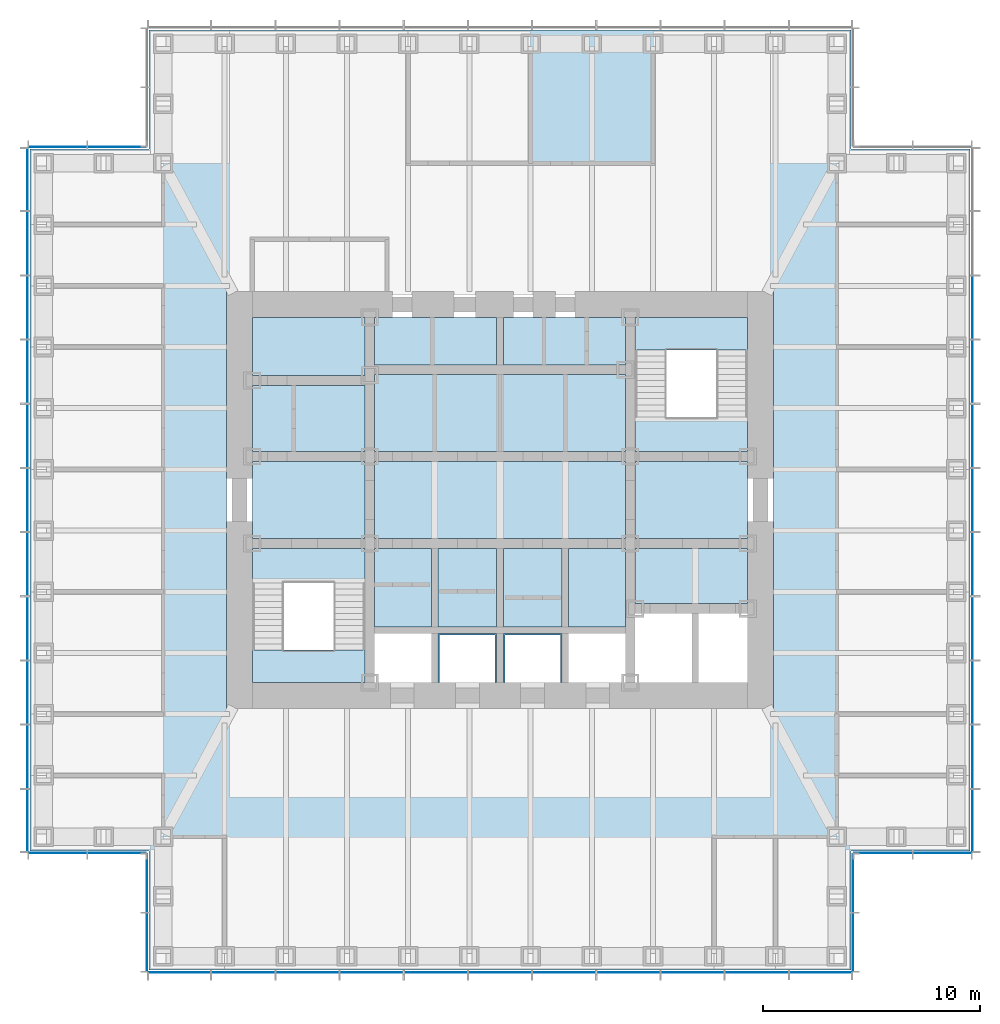
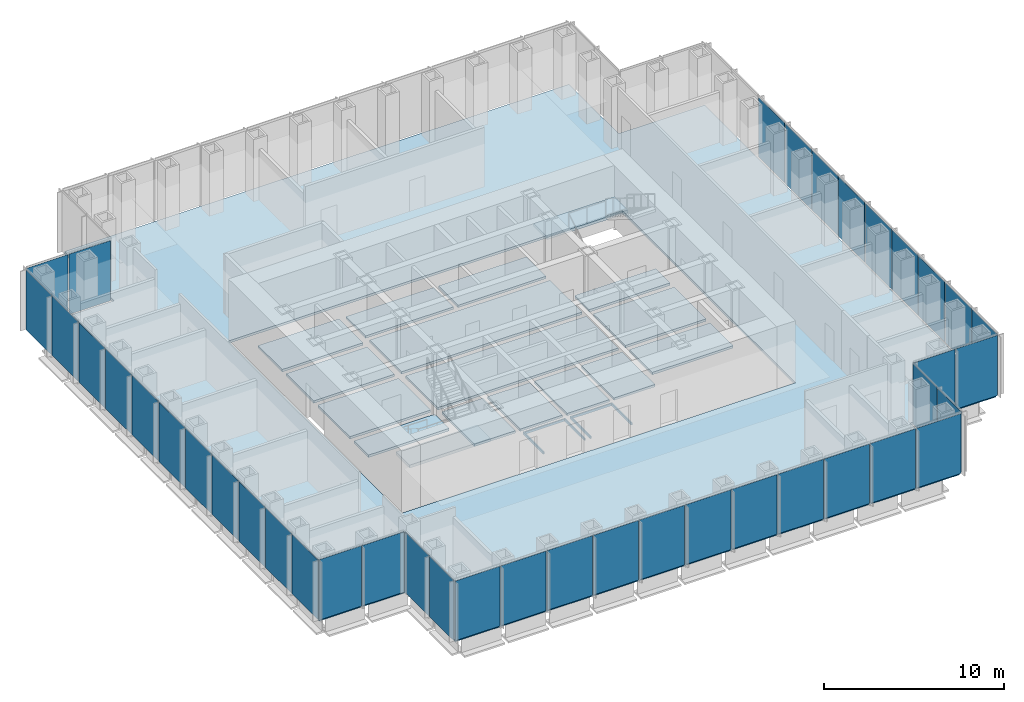
# One storey, part 7 of 17: 41 plates, 20 slabs, 10 elements without a shape of their own.
"""IFC4 building model written with IfcOpenShell, lengths in metres."""

from ifc_helpers import new_model, si_unit, direction, frame, origin, origin_2d, place, context, subcontext, project, spatial, polyline, rectangle, outline, extrude, material, layer, layer_set, type_object, element, aggregate, save


model = new_model("IFC4")

# Units and contexts
model_context = context("Model", 3, precision=1e-05, world=origin(), true_north=direction((0.0, 1.0)))
body_context = subcontext(model_context, "Body", "Model", "MODEL_VIEW")
ifc_project = project(units=[si_unit("LENGTHUNIT", "METRE"), si_unit("AREAUNIT", "SQUARE_METRE"), si_unit("VOLUMEUNIT", "CUBIC_METRE"), si_unit("PLANEANGLEUNIT", "RADIAN"), si_unit("MASSUNIT", "GRAM", prefix="KILO")], contexts=[model_context])

# Site, building, storey
site_placement = place(None, origin())
site = spatial("IfcSite", under=ifc_project, at=site_placement, CompositionType="ELEMENT")
building_placement = place(site_placement, origin())
building = spatial("IfcBuilding", under=site, at=building_placement, Name="Daluyong Arena Tower", CompositionType="ELEMENT")
storey_placement = place(building_placement, frame((0.0, 0.0, 193.89990234375)))
storey = spatial("IfcBuildingStorey", under=building, at=storey_placement, Name="L43", CompositionType="ELEMENT", Elevation=193.89990234375)

# Curtain wall, plates
ifc_material_1 = material(Name="Bronze anodised aluminium and glass", Category="aluminium")
curtain_wall_type_1 = type_object("IfcCurtainWallType", Name="Curtain wall CW3", PredefinedType="USERDEFINED", material=ifc_material_1)
curtain_wall_1_placement = place(storey_placement, origin())
curtain_wall_1 = element("IfcCurtainWall", 1, at=curtain_wall_1_placement, inside=storey, type_object=curtain_wall_type_1, Name="curtain wall L43 S", ObjectType="UNITISED CURTAIN WALL", PredefinedType="USERDEFINED")
ifc_material_2 = material(Name="Tinted double glazed unit", Category="glass")
ifc_layer_1 = layer(ifc_material_2, 0.030029296875)
ifc_layer_set_1 = layer_set([ifc_layer_1], Name="Tinted double glazed unit")
plate_type_1 = type_object("IfcPlateType", Name="CW3 panel 30", PredefinedType="CURTAIN_PANEL", material=ifc_layer_set_1)
plate_1_placement = place(storey_placement, frame((41.244873046875, 58.25, 0.0), z_axis=(0.0, 0.0, 1.0), x_axis=(1.0, 0.0, 0.0)))
plate_1 = element("IfcPlate", 2, at=plate_1_placement, type_object=plate_type_1, Name="curtain wall L43 S panel 1", PredefinedType="CURTAIN_PANEL", context=body_context, shape_type="SweptSolid", body=[
    extrude(rectangle(XDim=2.849609375, YDim=0.030029296875, at=origin_2d()), origin(), (0.0, 0.0, 1.0), 4.0400390625),
])
plate_2_placement = place(storey_placement, frame((44.181884765625, 58.25, 0.0), z_axis=(0.0, 0.0, 1.0), x_axis=(1.0, 0.0, 0.0)))
plate_2 = element("IfcPlate", 3, at=plate_2_placement, type_object=plate_type_1, Name="curtain wall L43 S panel 2", PredefinedType="CURTAIN_PANEL", context=body_context, shape_type="SweptSolid", body=[
    extrude(rectangle(XDim=2.884521484375, YDim=0.030029296875, at=origin_2d()), origin(), (0.0, 0.0, 1.0), 4.0400390625),
])
plate_3_placement = place(storey_placement, frame((47.136474609375, 58.25, 0.0), z_axis=(0.0, 0.0, 1.0), x_axis=(1.0, 0.0, 0.0)))
plate_3 = element("IfcPlate", 4, at=plate_3_placement, type_object=plate_type_1, Name="curtain wall L43 S panel 3", PredefinedType="CURTAIN_PANEL", context=body_context, shape_type="SweptSolid", body=[
    extrude(rectangle(XDim=2.884521484375, YDim=0.030029296875, at=origin_2d()), origin(), (0.0, 0.0, 1.0), 4.0400390625),
])
plate_4_placement = place(storey_placement, frame((50.0908203125, 58.25, 0.0), z_axis=(0.0, 0.0, 1.0), x_axis=(1.0, 0.0, 0.0)))
plate_4 = element("IfcPlate", 5, at=plate_4_placement, type_object=plate_type_1, Name="curtain wall L43 S panel 4", PredefinedType="CURTAIN_PANEL", context=body_context, shape_type="SweptSolid", body=[
    extrude(rectangle(XDim=2.884521484375, YDim=0.030029296875, at=origin_2d()), origin(), (0.0, 0.0, 1.0), 4.0400390625),
])
plate_5_placement = place(storey_placement, frame((53.04541015625, 58.25, 0.0), z_axis=(0.0, 0.0, 1.0), x_axis=(1.0, 0.0, 0.0)))
plate_5 = element("IfcPlate", 6, at=plate_5_placement, type_object=plate_type_1, Name="curtain wall L43 S panel 5", PredefinedType="CURTAIN_PANEL", context=body_context, shape_type="SweptSolid", body=[
    extrude(rectangle(XDim=2.884521484375, YDim=0.030029296875, at=origin_2d()), origin(), (0.0, 0.0, 1.0), 4.0400390625),
])
plate_6_placement = place(storey_placement, frame((56.0, 58.25, 0.0), z_axis=(0.0, 0.0, 1.0), x_axis=(1.0, 0.0, 0.0)))
plate_6 = element("IfcPlate", 7, at=plate_6_placement, type_object=plate_type_1, Name="curtain wall L43 S panel 6", PredefinedType="CURTAIN_PANEL", context=body_context, shape_type="SweptSolid", body=[
    extrude(rectangle(XDim=2.884521484375, YDim=0.030029296875, at=origin_2d()), origin(), (0.0, 0.0, 1.0), 4.0400390625),
])
plate_7_placement = place(storey_placement, frame((58.95458984375, 58.25, 0.0), z_axis=(0.0, 0.0, 1.0), x_axis=(1.0, 0.0, 0.0)))
plate_7 = element("IfcPlate", 8, at=plate_7_placement, type_object=plate_type_1, Name="curtain wall L43 S panel 7", PredefinedType="CURTAIN_PANEL", context=body_context, shape_type="SweptSolid", body=[
    extrude(rectangle(XDim=2.884521484375, YDim=0.030029296875, at=origin_2d()), origin(), (0.0, 0.0, 1.0), 4.0400390625),
])
plate_8_placement = place(storey_placement, frame((61.9091796875, 58.25, 0.0), z_axis=(0.0, 0.0, 1.0), x_axis=(1.0, 0.0, 0.0)))
plate_8 = element("IfcPlate", 9, at=plate_8_placement, type_object=plate_type_1, Name="curtain wall L43 S panel 8", PredefinedType="CURTAIN_PANEL", context=body_context, shape_type="SweptSolid", body=[
    extrude(rectangle(XDim=2.884521484375, YDim=0.030029296875, at=origin_2d()), origin(), (0.0, 0.0, 1.0), 4.0400390625),
])
plate_9_placement = place(storey_placement, frame((64.863525390625, 58.25, 0.0), z_axis=(0.0, 0.0, 1.0), x_axis=(1.0, 0.0, 0.0)))
plate_9 = element("IfcPlate", 10, at=plate_9_placement, type_object=plate_type_1, Name="curtain wall L43 S panel 9", PredefinedType="CURTAIN_PANEL", context=body_context, shape_type="SweptSolid", body=[
    extrude(rectangle(XDim=2.884521484375, YDim=0.030029296875, at=origin_2d()), origin(), (0.0, 0.0, 1.0), 4.0400390625),
])
plate_10_placement = place(storey_placement, frame((67.818115234375, 58.25, 0.0), z_axis=(0.0, 0.0, 1.0), x_axis=(1.0, 0.0, 0.0)))
plate_10 = element("IfcPlate", 11, at=plate_10_placement, type_object=plate_type_1, Name="curtain wall L43 S panel 10", PredefinedType="CURTAIN_PANEL", context=body_context, shape_type="SweptSolid", body=[
    extrude(rectangle(XDim=2.884521484375, YDim=0.030029296875, at=origin_2d()), origin(), (0.0, 0.0, 1.0), 4.0400390625),
])
plate_11_placement = place(storey_placement, frame((70.755126953125, 58.25, 0.0), z_axis=(0.0, 0.0, 1.0), x_axis=(1.0, 0.0, 0.0)))
plate_11 = element("IfcPlate", 12, at=plate_11_placement, type_object=plate_type_1, Name="curtain wall L43 S panel 11", PredefinedType="CURTAIN_PANEL", context=body_context, shape_type="SweptSolid", body=[
    extrude(rectangle(XDim=2.849609375, YDim=0.030029296875, at=origin_2d()), origin(), (0.0, 0.0, 1.0), 4.0400390625),
])
aggregate(curtain_wall_1, [plate_1, plate_2, plate_3, plate_4, plate_5, plate_6, plate_7, plate_8, plate_9, plate_10, plate_11])

curtain_wall_2_placement = place(storey_placement, origin())
curtain_wall_2 = element("IfcCurtainWall", 13, at=curtain_wall_2_placement, inside=storey, type_object=curtain_wall_type_1, Name="curtain wall L43 E", ObjectType="UNITISED CURTAIN WALL", PredefinedType="USERDEFINED")
plate_12_placement = place(storey_placement, frame((77.75, 65.244873046875, 0.0), z_axis=(0.0, 0.0, 1.0), x_axis=(0.0, 1.0, 0.0)))
plate_12 = element("IfcPlate", 14, at=plate_12_placement, type_object=plate_type_1, Name="curtain wall L43 E panel 1", PredefinedType="CURTAIN_PANEL", context=body_context, shape_type="SweptSolid", body=[
    extrude(rectangle(XDim=2.849609375, YDim=0.030029296875, at=origin_2d()), origin(), (0.0, 0.0, 1.0), 4.0400390625),
])
plate_13_placement = place(storey_placement, frame((77.75, 68.181884765625, 0.0), z_axis=(0.0, 0.0, 1.0), x_axis=(0.0, 1.0, 0.0)))
plate_13 = element("IfcPlate", 15, at=plate_13_placement, type_object=plate_type_1, Name="curtain wall L43 E panel 2", PredefinedType="CURTAIN_PANEL", context=body_context, shape_type="SweptSolid", body=[
    extrude(rectangle(XDim=2.884521484375, YDim=0.030029296875, at=origin_2d()), origin(), (0.0, 0.0, 1.0), 4.0400390625),
])
plate_14_placement = place(storey_placement, frame((77.75, 71.136474609375, 0.0), z_axis=(0.0, 0.0, 1.0), x_axis=(0.0, 1.0, 0.0)))
plate_14 = element("IfcPlate", 16, at=plate_14_placement, type_object=plate_type_1, Name="curtain wall L43 E panel 3", PredefinedType="CURTAIN_PANEL", context=body_context, shape_type="SweptSolid", body=[
    extrude(rectangle(XDim=2.884521484375, YDim=0.030029296875, at=origin_2d()), origin(), (0.0, 0.0, 1.0), 4.0400390625),
])
plate_15_placement = place(storey_placement, frame((77.75, 74.0908203125, 0.0), z_axis=(0.0, 0.0, 1.0), x_axis=(0.0, 1.0, 0.0)))
plate_15 = element("IfcPlate", 17, at=plate_15_placement, type_object=plate_type_1, Name="curtain wall L43 E panel 4", PredefinedType="CURTAIN_PANEL", context=body_context, shape_type="SweptSolid", body=[
    extrude(rectangle(XDim=2.884521484375, YDim=0.030029296875, at=origin_2d()), origin(), (0.0, 0.0, 1.0), 4.0400390625),
])
plate_16_placement = place(storey_placement, frame((77.75, 77.04541015625, 0.0), z_axis=(0.0, 0.0, 1.0), x_axis=(0.0, 1.0, 0.0)))
plate_16 = element("IfcPlate", 18, at=plate_16_placement, type_object=plate_type_1, Name="curtain wall L43 E panel 5", PredefinedType="CURTAIN_PANEL", context=body_context, shape_type="SweptSolid", body=[
    extrude(rectangle(XDim=2.884521484375, YDim=0.030029296875, at=origin_2d()), origin(), (0.0, 0.0, 1.0), 4.0400390625),
])
plate_17_placement = place(storey_placement, frame((77.75, 80.0, 0.0), z_axis=(0.0, 0.0, 1.0), x_axis=(0.0, 1.0, 0.0)))
plate_17 = element("IfcPlate", 19, at=plate_17_placement, type_object=plate_type_1, Name="curtain wall L43 E panel 6", PredefinedType="CURTAIN_PANEL", context=body_context, shape_type="SweptSolid", body=[
    extrude(rectangle(XDim=2.884521484375, YDim=0.030029296875, at=origin_2d()), origin(), (0.0, 0.0, 1.0), 4.0400390625),
])
plate_18_placement = place(storey_placement, frame((77.75, 82.95458984375, 0.0), z_axis=(0.0, 0.0, 1.0), x_axis=(0.0, 1.0, 0.0)))
plate_18 = element("IfcPlate", 20, at=plate_18_placement, type_object=plate_type_1, Name="curtain wall L43 E panel 7", PredefinedType="CURTAIN_PANEL", context=body_context, shape_type="SweptSolid", body=[
    extrude(rectangle(XDim=2.884521484375, YDim=0.030029296875, at=origin_2d()), origin(), (0.0, 0.0, 1.0), 4.0400390625),
])
plate_19_placement = place(storey_placement, frame((77.75, 85.9091796875, 0.0), z_axis=(0.0, 0.0, 1.0), x_axis=(0.0, 1.0, 0.0)))
plate_19 = element("IfcPlate", 21, at=plate_19_placement, type_object=plate_type_1, Name="curtain wall L43 E panel 8", PredefinedType="CURTAIN_PANEL", context=body_context, shape_type="SweptSolid", body=[
    extrude(rectangle(XDim=2.884521484375, YDim=0.030029296875, at=origin_2d()), origin(), (0.0, 0.0, 1.0), 4.0400390625),
])
plate_20_placement = place(storey_placement, frame((77.75, 88.863525390625, 0.0), z_axis=(0.0, 0.0, 1.0), x_axis=(0.0, 1.0, 0.0)))
plate_20 = element("IfcPlate", 22, at=plate_20_placement, type_object=plate_type_1, Name="curtain wall L43 E panel 9", PredefinedType="CURTAIN_PANEL", context=body_context, shape_type="SweptSolid", body=[
    extrude(rectangle(XDim=2.884521484375, YDim=0.030029296875, at=origin_2d()), origin(), (0.0, 0.0, 1.0), 4.0400390625),
])
aggregate(curtain_wall_2, [plate_12, plate_13, plate_14, plate_15, plate_16, plate_17, plate_18, plate_19, plate_20])

curtain_wall_3_placement = place(storey_placement, origin())
curtain_wall_3 = element("IfcCurtainWall", 23, at=curtain_wall_3_placement, inside=storey, type_object=curtain_wall_type_1, Name="curtain wall L43 W", ObjectType="UNITISED CURTAIN WALL", PredefinedType="USERDEFINED")
plate_21_placement = place(storey_placement, frame((34.25, 94.755126953125, 0.0), z_axis=(0.0, 0.0, 1.0), x_axis=(0.0, -1.0, 0.0)))
plate_21 = element("IfcPlate", 24, at=plate_21_placement, type_object=plate_type_1, Name="curtain wall L43 W panel 1", PredefinedType="CURTAIN_PANEL", context=body_context, shape_type="SweptSolid", body=[
    extrude(rectangle(XDim=2.849609375, YDim=0.030029296875, at=origin_2d()), origin(), (0.0, 0.0, 1.0), 4.0400390625),
])
plate_22_placement = place(storey_placement, frame((34.25, 91.818115234375, 0.0), z_axis=(0.0, 0.0, 1.0), x_axis=(0.0, -1.0, 0.0)))
plate_22 = element("IfcPlate", 25, at=plate_22_placement, type_object=plate_type_1, Name="curtain wall L43 W panel 2", PredefinedType="CURTAIN_PANEL", context=body_context, shape_type="SweptSolid", body=[
    extrude(rectangle(XDim=2.884521484375, YDim=0.030029296875, at=origin_2d()), origin(), (0.0, 0.0, 1.0), 4.0400390625),
])
plate_23_placement = place(storey_placement, frame((34.25, 88.863525390625, 0.0), z_axis=(0.0, 0.0, 1.0), x_axis=(0.0, -1.0, 0.0)))
plate_23 = element("IfcPlate", 26, at=plate_23_placement, type_object=plate_type_1, Name="curtain wall L43 W panel 3", PredefinedType="CURTAIN_PANEL", context=body_context, shape_type="SweptSolid", body=[
    extrude(rectangle(XDim=2.884521484375, YDim=0.030029296875, at=origin_2d()), origin(), (0.0, 0.0, 1.0), 4.0400390625),
])
plate_24_placement = place(storey_placement, frame((34.25, 85.9091796875, 0.0), z_axis=(0.0, 0.0, 1.0), x_axis=(0.0, -1.0, 0.0)))
plate_24 = element("IfcPlate", 27, at=plate_24_placement, type_object=plate_type_1, Name="curtain wall L43 W panel 4", PredefinedType="CURTAIN_PANEL", context=body_context, shape_type="SweptSolid", body=[
    extrude(rectangle(XDim=2.884521484375, YDim=0.030029296875, at=origin_2d()), origin(), (0.0, 0.0, 1.0), 4.0400390625),
])
plate_25_placement = place(storey_placement, frame((34.25, 82.95458984375, 0.0), z_axis=(0.0, 0.0, 1.0), x_axis=(0.0, -1.0, 0.0)))
plate_25 = element("IfcPlate", 28, at=plate_25_placement, type_object=plate_type_1, Name="curtain wall L43 W panel 5", PredefinedType="CURTAIN_PANEL", context=body_context, shape_type="SweptSolid", body=[
    extrude(rectangle(XDim=2.884521484375, YDim=0.030029296875, at=origin_2d()), origin(), (0.0, 0.0, 1.0), 4.0400390625),
])
plate_26_placement = place(storey_placement, frame((34.25, 80.0, 0.0), z_axis=(0.0, 0.0, 1.0), x_axis=(0.0, -1.0, 0.0)))
plate_26 = element("IfcPlate", 29, at=plate_26_placement, type_object=plate_type_1, Name="curtain wall L43 W panel 6", PredefinedType="CURTAIN_PANEL", context=body_context, shape_type="SweptSolid", body=[
    extrude(rectangle(XDim=2.884521484375, YDim=0.030029296875, at=origin_2d()), origin(), (0.0, 0.0, 1.0), 4.0400390625),
])
plate_27_placement = place(storey_placement, frame((34.25, 77.04541015625, 0.0), z_axis=(0.0, 0.0, 1.0), x_axis=(0.0, -1.0, 0.0)))
plate_27 = element("IfcPlate", 30, at=plate_27_placement, type_object=plate_type_1, Name="curtain wall L43 W panel 7", PredefinedType="CURTAIN_PANEL", context=body_context, shape_type="SweptSolid", body=[
    extrude(rectangle(XDim=2.884521484375, YDim=0.030029296875, at=origin_2d()), origin(), (0.0, 0.0, 1.0), 4.0400390625),
])
plate_28_placement = place(storey_placement, frame((34.25, 74.0908203125, 0.0), z_axis=(0.0, 0.0, 1.0), x_axis=(0.0, -1.0, 0.0)))
plate_28 = element("IfcPlate", 31, at=plate_28_placement, type_object=plate_type_1, Name="curtain wall L43 W panel 8", PredefinedType="CURTAIN_PANEL", context=body_context, shape_type="SweptSolid", body=[
    extrude(rectangle(XDim=2.884521484375, YDim=0.030029296875, at=origin_2d()), origin(), (0.0, 0.0, 1.0), 4.0400390625),
])
plate_29_placement = place(storey_placement, frame((34.25, 71.136474609375, 0.0), z_axis=(0.0, 0.0, 1.0), x_axis=(0.0, -1.0, 0.0)))
plate_29 = element("IfcPlate", 32, at=plate_29_placement, type_object=plate_type_1, Name="curtain wall L43 W panel 9", PredefinedType="CURTAIN_PANEL", context=body_context, shape_type="SweptSolid", body=[
    extrude(rectangle(XDim=2.884521484375, YDim=0.030029296875, at=origin_2d()), origin(), (0.0, 0.0, 1.0), 4.0400390625),
])
plate_30_placement = place(storey_placement, frame((34.25, 68.181884765625, 0.0), z_axis=(0.0, 0.0, 1.0), x_axis=(0.0, -1.0, 0.0)))
plate_30 = element("IfcPlate", 33, at=plate_30_placement, type_object=plate_type_1, Name="curtain wall L43 W panel 10", PredefinedType="CURTAIN_PANEL", context=body_context, shape_type="SweptSolid", body=[
    extrude(rectangle(XDim=2.884521484375, YDim=0.030029296875, at=origin_2d()), origin(), (0.0, 0.0, 1.0), 4.0400390625),
])
plate_31_placement = place(storey_placement, frame((34.25, 65.244873046875, 0.0), z_axis=(0.0, 0.0, 1.0), x_axis=(0.0, -1.0, 0.0)))
plate_31 = element("IfcPlate", 34, at=plate_31_placement, type_object=plate_type_1, Name="curtain wall L43 W panel 11", PredefinedType="CURTAIN_PANEL", context=body_context, shape_type="SweptSolid", body=[
    extrude(rectangle(XDim=2.849609375, YDim=0.030029296875, at=origin_2d()), origin(), (0.0, 0.0, 1.0), 4.0400390625),
])
aggregate(curtain_wall_3, [plate_21, plate_22, plate_23, plate_24, plate_25, plate_26, plate_27, plate_28, plate_29, plate_30, plate_31])

ifc_material_3 = material(Name="Bronze anodised aluminium and glass", Category="aluminium")
curtain_wall_type_2 = type_object("IfcCurtainWallType", Name="Curtain wall CW7", PredefinedType="USERDEFINED", material=ifc_material_3)
curtain_wall_4_placement = place(storey_placement, origin())
curtain_wall_4 = element("IfcCurtainWall", 35, at=curtain_wall_4_placement, inside=storey, type_object=curtain_wall_type_2, Name="curtain wall L43 SE-E", ObjectType="UNITISED CURTAIN WALL", PredefinedType="USERDEFINED")
ifc_material_4 = material(Name="Tinted double glazed unit", Category="glass")
ifc_layer_2 = layer(ifc_material_4, 0.028076171875)
ifc_layer_set_2 = layer_set([ifc_layer_2], Name="Tinted double glazed unit")
plate_type_2 = type_object("IfcPlateType", Name="CW7 panel 28", PredefinedType="CURTAIN_PANEL", material=ifc_layer_set_2)
plate_32_placement = place(storey_placement, frame((72.25, 59.639892578125, 0.0), z_axis=(0.0, 0.0, 1.0), x_axis=(0.0, 1.0, 0.0)))
plate_32 = element("IfcPlate", 36, at=plate_32_placement, type_object=plate_type_2, Name="curtain wall L43 SE-E panel 1", PredefinedType="CURTAIN_PANEL", context=body_context, shape_type="SweptSolid", body=[
    extrude(rectangle(XDim=2.659912109375, YDim=0.028076171875, at=origin_2d()), origin(), (0.0, 0.0, 1.0), 4.080078125),
])
plate_33_placement = place(storey_placement, frame((72.25, 62.360107421875, 0.0), z_axis=(0.0, 0.0, 1.0), x_axis=(0.0, 1.0, 0.0)))
plate_33 = element("IfcPlate", 37, at=plate_33_placement, type_object=plate_type_2, Name="curtain wall L43 SE-E panel 2", PredefinedType="CURTAIN_PANEL", context=body_context, shape_type="SweptSolid", body=[
    extrude(rectangle(XDim=2.659912109375, YDim=0.028076171875, at=origin_2d()), origin(), (0.0, 0.0, 1.0), 4.080078125),
])
aggregate(curtain_wall_4, [plate_32, plate_33])

curtain_wall_5_placement = place(storey_placement, origin())
curtain_wall_5 = element("IfcCurtainWall", 38, at=curtain_wall_5_placement, inside=storey, type_object=curtain_wall_type_2, Name="curtain wall L43 SE-S", ObjectType="UNITISED CURTAIN WALL", PredefinedType="USERDEFINED")
plate_34_placement = place(storey_placement, frame((73.639892578125, 63.75, 0.0), z_axis=(0.0, 0.0, 1.0), x_axis=(1.0, 0.0, 0.0)))
plate_34 = element("IfcPlate", 39, at=plate_34_placement, type_object=plate_type_2, Name="curtain wall L43 SE-S panel 1", PredefinedType="CURTAIN_PANEL", context=body_context, shape_type="SweptSolid", body=[
    extrude(rectangle(XDim=2.659912109375, YDim=0.028076171875, at=origin_2d()), origin(), (0.0, 0.0, 1.0), 4.080078125),
])
plate_35_placement = place(storey_placement, frame((76.360107421875, 63.75, 0.0), z_axis=(0.0, 0.0, 1.0), x_axis=(1.0, 0.0, 0.0)))
plate_35 = element("IfcPlate", 40, at=plate_35_placement, type_object=plate_type_2, Name="curtain wall L43 SE-S panel 2", PredefinedType="CURTAIN_PANEL", context=body_context, shape_type="SweptSolid", body=[
    extrude(rectangle(XDim=2.659912109375, YDim=0.028076171875, at=origin_2d()), origin(), (0.0, 0.0, 1.0), 4.080078125),
])
aggregate(curtain_wall_5, [plate_34, plate_35])

curtain_wall_6_placement = place(storey_placement, origin())
curtain_wall_6 = element("IfcCurtainWall", 41, at=curtain_wall_6_placement, inside=storey, type_object=curtain_wall_type_2, Name="curtain wall L43 NW-N", ObjectType="UNITISED CURTAIN WALL", PredefinedType="USERDEFINED")
plate_36_placement = place(storey_placement, frame((38.360107421875, 96.25, 0.0), z_axis=(0.0, 0.0, 1.0), x_axis=(-1.0, 0.0, 0.0)))
plate_36 = element("IfcPlate", 42, at=plate_36_placement, type_object=plate_type_2, Name="curtain wall L43 NW-N panel 1", PredefinedType="CURTAIN_PANEL", context=body_context, shape_type="SweptSolid", body=[
    extrude(rectangle(XDim=2.659912109375, YDim=0.028076171875, at=origin_2d()), origin(), (0.0, 0.0, 1.0), 4.080078125),
])
plate_37_placement = place(storey_placement, frame((35.639892578125, 96.25, 0.0), z_axis=(0.0, 0.0, 1.0), x_axis=(-1.0, 0.0, 0.0)))
plate_37 = element("IfcPlate", 43, at=plate_37_placement, type_object=plate_type_2, Name="curtain wall L43 NW-N panel 2", PredefinedType="CURTAIN_PANEL", context=body_context, shape_type="SweptSolid", body=[
    extrude(rectangle(XDim=2.659912109375, YDim=0.028076171875, at=origin_2d()), origin(), (0.0, 0.0, 1.0), 4.080078125),
])
aggregate(curtain_wall_6, [plate_36, plate_37])

curtain_wall_7_placement = place(storey_placement, origin())
curtain_wall_7 = element("IfcCurtainWall", 44, at=curtain_wall_7_placement, inside=storey, type_object=curtain_wall_type_2, Name="curtain wall L43 SW-S", ObjectType="UNITISED CURTAIN WALL", PredefinedType="USERDEFINED")
plate_38_placement = place(storey_placement, frame((35.639892578125, 63.75, 0.0), z_axis=(0.0, 0.0, 1.0), x_axis=(1.0, 0.0, 0.0)))
plate_38 = element("IfcPlate", 45, at=plate_38_placement, type_object=plate_type_2, Name="curtain wall L43 SW-S panel 1", PredefinedType="CURTAIN_PANEL", context=body_context, shape_type="SweptSolid", body=[
    extrude(rectangle(XDim=2.659912109375, YDim=0.028076171875, at=origin_2d()), origin(), (0.0, 0.0, 1.0), 4.080078125),
])
plate_39_placement = place(storey_placement, frame((38.360107421875, 63.75, 0.0), z_axis=(0.0, 0.0, 1.0), x_axis=(1.0, 0.0, 0.0)))
plate_39 = element("IfcPlate", 46, at=plate_39_placement, type_object=plate_type_2, Name="curtain wall L43 SW-S panel 2", PredefinedType="CURTAIN_PANEL", context=body_context, shape_type="SweptSolid", body=[
    extrude(rectangle(XDim=2.659912109375, YDim=0.028076171875, at=origin_2d()), origin(), (0.0, 0.0, 1.0), 4.080078125),
])
aggregate(curtain_wall_7, [plate_38, plate_39])

curtain_wall_8_placement = place(storey_placement, origin())
curtain_wall_8 = element("IfcCurtainWall", 47, at=curtain_wall_8_placement, inside=storey, type_object=curtain_wall_type_2, Name="curtain wall L43 SW-W", ObjectType="UNITISED CURTAIN WALL", PredefinedType="USERDEFINED")
plate_40_placement = place(storey_placement, frame((39.75, 62.360107421875, 0.0), z_axis=(0.0, 0.0, 1.0), x_axis=(0.0, -1.0, 0.0)))
plate_40 = element("IfcPlate", 48, at=plate_40_placement, type_object=plate_type_2, Name="curtain wall L43 SW-W panel 1", PredefinedType="CURTAIN_PANEL", context=body_context, shape_type="SweptSolid", body=[
    extrude(rectangle(XDim=2.659912109375, YDim=0.028076171875, at=origin_2d()), origin(), (0.0, 0.0, 1.0), 4.080078125),
])
plate_41_placement = place(storey_placement, frame((39.75, 59.639892578125, 0.0), z_axis=(0.0, 0.0, 1.0), x_axis=(0.0, -1.0, 0.0)))
plate_41 = element("IfcPlate", 49, at=plate_41_placement, type_object=plate_type_2, Name="curtain wall L43 SW-W panel 2", PredefinedType="CURTAIN_PANEL", context=body_context, shape_type="SweptSolid", body=[
    extrude(rectangle(XDim=2.659912109375, YDim=0.028076171875, at=origin_2d()), origin(), (0.0, 0.0, 1.0), 4.080078125),
])
aggregate(curtain_wall_8, [plate_40, plate_41])

# Stair, slab
ifc_material_5 = material(Name="Concrete fc' 35 MPa", Category="concrete")
stair_type = type_object("IfcStairType", Name="Core exit stair", PredefinedType="HALF_TURN_STAIR", material=ifc_material_5)
stair_1_placement = place(storey_placement, origin())
stair_1 = element("IfcStair", 50, at=stair_1_placement, inside=storey, type_object=stair_type, Name="exit stair A L43", PredefinedType="HALF_TURN_STAIR")
ifc_material_6 = material(Name="Concrete fc' 35 MPa", Category="concrete")
ifc_layer_3 = layer(ifc_material_6, 0.199951171875)
ifc_layer_set_3 = layer_set([ifc_layer_3], Name="Concrete fc' 35 MPa")
slab_type_1 = type_object("IfcSlabType", Name="Stair landing 200", PredefinedType="LANDING", material=ifc_layer_set_3)
slab_1_placement = place(storey_placement, frame((0.0, 0.0, 1.900146484375)))
slab_1 = element("IfcSlab", 51, at=slab_1_placement, type_object=slab_type_1, Name="STA landing 1", PredefinedType="LANDING", context=body_context, shape_type="SweptSolid", body=[
    extrude(outline(polyline([(44.60009765625, 71.60009765625), (49.77490234375, 71.60009765625), (49.77490234375, 73.094970703125), (44.60009765625, 73.094970703125), (44.60009765625, 71.60009765625)])), origin(), (0.0, 0.0, 1.0), 0.199951171875),
])
aggregate(stair_1, [slab_1])

stair_2_placement = place(storey_placement, origin())
stair_2 = element("IfcStair", 52, at=stair_2_placement, inside=storey, type_object=stair_type, Name="exit stair B L43", PredefinedType="HALF_TURN_STAIR")
slab_2_placement = place(storey_placement, frame((0.0, 0.0, 1.900146484375)))
slab_2 = element("IfcSlab", 53, at=slab_2_placement, type_object=slab_type_1, Name="STB landing 1", PredefinedType="LANDING", context=body_context, shape_type="SweptSolid", body=[
    extrude(outline(polyline([(62.22509765625, 86.905029296875), (67.39990234375, 86.905029296875), (67.39990234375, 88.39990234375), (62.22509765625, 88.39990234375), (62.22509765625, 86.905029296875)])), origin(), (0.0, 0.0, 1.0), 0.199951171875),
])
aggregate(stair_2, [slab_2])

# Slabs
ifc_material_7 = material(Name="Concrete fc' 35 MPa", Category="concrete")
ifc_layer_4 = layer(ifc_material_7, 0.159912109375)
ifc_layer_set_4 = layer_set([ifc_layer_4], Name="Concrete fc' 35 MPa")
slab_type_2 = type_object("IfcSlabType", Name="Tower floor slab 160", PredefinedType="FLOOR", material=ifc_layer_set_4)
slab_3_placement = place(storey_placement, frame((0.0, 0.0, -0.159912109375)))
element("IfcSlab", 54, at=slab_3_placement, inside=storey, type_object=slab_type_2, Name="floor L43 part 1", PredefinedType="FLOOR", context=body_context, shape_type="SweptSolid", body=[
    extrude(outline(polyline([(49.77490234375, 77.77490234375), (44.60009765625, 77.77490234375), (44.60009765625, 76.175048828125), (49.77490234375, 76.175048828125), (49.77490234375, 77.77490234375)])), origin(), (0.0, 0.0, 1.0), 0.159912109375),
])
slab_4_placement = place(storey_placement, frame((0.0, 0.0, -0.159912109375)))
element("IfcSlab", 55, at=slab_4_placement, inside=storey, type_object=slab_type_2, Name="floor L43 part 2", PredefinedType="FLOOR", context=body_context, shape_type="SweptSolid", body=[
    extrude(outline(polyline([(49.77490234375, 78.22509765625), (49.77490234375, 81.77490234375), (44.60009765625, 81.77490234375), (44.60009765625, 78.22509765625), (49.77490234375, 78.22509765625)])), origin(), (0.0, 0.0, 1.0), 0.159912109375),
])
slab_5_placement = place(storey_placement, frame((0.0, 0.0, -0.159912109375)))
element("IfcSlab", 56, at=slab_5_placement, inside=storey, type_object=slab_type_2, Name="floor L43 part 3", PredefinedType="FLOOR", context=body_context, shape_type="SweptSolid", body=[
    extrude(outline(polyline([(44.60009765625, 85.27490234375), (44.60009765625, 82.22509765625), (49.77490234375, 82.22509765625), (49.77490234375, 85.27490234375), (44.60009765625, 85.27490234375)])), origin(), (0.0, 0.0, 1.0), 0.159912109375),
])
slab_6_placement = place(storey_placement, frame((0.0, 0.0, -0.159912109375)))
element("IfcSlab", 57, at=slab_6_placement, inside=storey, type_object=slab_type_2, Name="floor L43 part 4", PredefinedType="FLOOR", context=body_context, shape_type="SweptSolid", body=[
    extrude(outline(polyline([(44.60009765625, 88.39990234375), (44.60009765625, 85.72509765625), (49.77490234375, 85.72509765625), (49.77490234375, 88.39990234375), (44.60009765625, 88.39990234375)])), origin(), (0.0, 0.0, 1.0), 0.159912109375),
])
slab_7_placement = place(storey_placement, frame((0.0, 0.0, -0.159912109375)))
element("IfcSlab", 58, at=slab_7_placement, inside=storey, type_object=slab_type_2, Name="floor L43 part 5", PredefinedType="FLOOR", context=body_context, shape_type="SweptSolid", body=[
    extrude(outline(polyline([(52.85009765625, 74.14990234375), (52.85009765625, 77.77490234375), (50.22509765625, 77.77490234375), (50.22509765625, 74.14990234375), (52.85009765625, 74.14990234375)])), origin(), (0.0, 0.0, 1.0), 0.159912109375),
])
slab_8_placement = place(storey_placement, frame((0.0, 0.0, -0.159912109375)))
element("IfcSlab", 59, at=slab_8_placement, inside=storey, type_object=slab_type_2, Name="floor L43 part 6", PredefinedType="FLOOR", context=body_context, shape_type="SweptSolid", body=[
    extrude(outline(polyline([(50.22509765625, 88.39990234375), (50.22509765625, 86.22509765625), (55.85009765625, 86.22509765625), (55.85009765625, 88.39990234375), (50.22509765625, 88.39990234375)])), origin(), (0.0, 0.0, 1.0), 0.159912109375),
])
slab_9_placement = place(storey_placement, frame((0.0, 0.0, -0.159912109375)))
element("IfcSlab", 60, at=slab_9_placement, inside=storey, type_object=slab_type_2, Name="floor L43 part 7", PredefinedType="FLOOR", context=body_context, shape_type="SweptSolid", body=[
    extrude(outline(polyline([(53.22509765625, 71.60009765625), (53.22509765625, 73.77490234375), (55.77490234375, 73.77490234375), (55.77490234375, 71.60009765625), (55.85009765625, 71.60009765625), (55.85009765625, 73.85009765625), (53.14990234375, 73.85009765625), (53.14990234375, 71.60009765625), (53.22509765625, 71.60009765625)])), origin(), (0.0, 0.0, 1.0), 0.159912109375),
])
slab_10_placement = place(storey_placement, frame((0.0, 0.0, -0.159912109375)))
element("IfcSlab", 61, at=slab_10_placement, inside=storey, type_object=slab_type_2, Name="floor L43 part 8", PredefinedType="FLOOR", context=body_context, shape_type="SweptSolid", body=[
    extrude(outline(polyline([(53.14990234375, 74.14990234375), (55.85009765625, 74.14990234375), (55.85009765625, 77.77490234375), (53.14990234375, 77.77490234375), (53.14990234375, 74.14990234375)])), origin(), (0.0, 0.0, 1.0), 0.159912109375),
])
slab_11_placement = place(storey_placement, frame((0.0, 0.0, -0.159912109375)))
element("IfcSlab", 62, at=slab_11_placement, inside=storey, type_object=slab_type_2, Name="floor L43 part 9", PredefinedType="FLOOR", context=body_context, shape_type="SweptSolid", body=[
    extrude(outline(polyline([(39.85009765625, 63.85009765625), (39.85009765625, 58.35009765625), (72.14990234375, 58.35009765625), (72.14990234375, 63.85009765625), (77.64990234375, 63.85009765625), (77.64990234375, 96.14990234375), (72.14990234375, 96.14990234375), (72.14990234375, 101.64990234375), (39.85009765625, 101.64990234375), (39.85009765625, 96.14990234375), (34.35009765625, 96.14990234375), (34.35009765625, 63.85009765625), (39.85009765625, 63.85009765625)]), holes=[polyline([(68.60009765625, 89.60009765625), (68.60009765625, 70.39990234375), (43.39990234375, 70.39990234375), (43.39990234375, 89.60009765625), (68.60009765625, 89.60009765625)])]), origin(), (0.0, 0.0, 1.0), 0.159912109375),
])
slab_12_placement = place(storey_placement, frame((0.0, 0.0, -0.159912109375)))
element("IfcSlab", 63, at=slab_12_placement, inside=storey, type_object=slab_type_2, Name="floor L43 part 10", PredefinedType="FLOOR", context=body_context, shape_type="SweptSolid", body=[
    extrude(outline(polyline([(50.22509765625, 81.77490234375), (50.22509765625, 78.22509765625), (61.77490234375, 78.22509765625), (61.77490234375, 81.77490234375), (50.22509765625, 81.77490234375)])), origin(), (0.0, 0.0, 1.0), 0.159912109375),
])
slab_13_placement = place(storey_placement, frame((0.0, 0.0, -0.159912109375)))
element("IfcSlab", 64, at=slab_13_placement, inside=storey, type_object=slab_type_2, Name="floor L43 part 11", PredefinedType="FLOOR", context=body_context, shape_type="SweptSolid", body=[
    extrude(outline(polyline([(50.22509765625, 85.77490234375), (50.22509765625, 82.22509765625), (61.77490234375, 82.22509765625), (61.77490234375, 85.77490234375), (50.22509765625, 85.77490234375)])), origin(), (0.0, 0.0, 1.0), 0.159912109375),
])
slab_14_placement = place(storey_placement, frame((0.0, 0.0, -0.159912109375)))
element("IfcSlab", 65, at=slab_14_placement, inside=storey, type_object=slab_type_2, Name="floor L43 part 12", PredefinedType="FLOOR", context=body_context, shape_type="SweptSolid", body=[
    extrude(outline(polyline([(56.22509765625, 71.60009765625), (56.22509765625, 73.77490234375), (58.77490234375, 73.77490234375), (58.77490234375, 71.60009765625), (58.85009765625, 71.60009765625), (58.85009765625, 73.85009765625), (56.14990234375, 73.85009765625), (56.14990234375, 71.60009765625), (56.22509765625, 71.60009765625)])), origin(), (0.0, 0.0, 1.0), 0.159912109375),
])
slab_15_placement = place(storey_placement, frame((0.0, 0.0, -0.159912109375)))
element("IfcSlab", 66, at=slab_15_placement, inside=storey, type_object=slab_type_2, Name="floor L43 part 13", PredefinedType="FLOOR", context=body_context, shape_type="SweptSolid", body=[
    extrude(outline(polyline([(58.85009765625, 77.77490234375), (56.14990234375, 77.77490234375), (56.14990234375, 74.14990234375), (58.85009765625, 74.14990234375), (58.85009765625, 77.77490234375)])), origin(), (0.0, 0.0, 1.0), 0.159912109375),
])
slab_16_placement = place(storey_placement, frame((0.0, 0.0, -0.159912109375)))
element("IfcSlab", 67, at=slab_16_placement, inside=storey, type_object=slab_type_2, Name="floor L43 part 14", PredefinedType="FLOOR", context=body_context, shape_type="SweptSolid", body=[
    extrude(outline(polyline([(56.14990234375, 88.39990234375), (56.14990234375, 86.22509765625), (61.77490234375, 86.22509765625), (61.77490234375, 88.39990234375), (56.14990234375, 88.39990234375)])), origin(), (0.0, 0.0, 1.0), 0.159912109375),
])
slab_17_placement = place(storey_placement, frame((0.0, 0.0, -0.159912109375)))
element("IfcSlab", 68, at=slab_17_placement, inside=storey, type_object=slab_type_2, Name="floor L43 part 15", PredefinedType="FLOOR", context=body_context, shape_type="SweptSolid", body=[
    extrude(outline(polyline([(61.77490234375, 77.77490234375), (59.14990234375, 77.77490234375), (59.14990234375, 74.14990234375), (61.77490234375, 74.14990234375), (61.77490234375, 77.77490234375)])), origin(), (0.0, 0.0, 1.0), 0.159912109375),
])
slab_18_placement = place(storey_placement, frame((0.0, 0.0, -0.159912109375)))
element("IfcSlab", 69, at=slab_18_placement, inside=storey, type_object=slab_type_2, Name="floor L43 part 16", PredefinedType="FLOOR", context=body_context, shape_type="SweptSolid", body=[
    extrude(outline(polyline([(67.39990234375, 75.22509765625), (67.39990234375, 77.77490234375), (62.22509765625, 77.77490234375), (62.22509765625, 75.22509765625), (67.39990234375, 75.22509765625)])), origin(), (0.0, 0.0, 1.0), 0.159912109375),
])
slab_19_placement = place(storey_placement, frame((0.0, 0.0, -0.159912109375)))
element("IfcSlab", 70, at=slab_19_placement, inside=storey, type_object=slab_type_2, Name="floor L43 part 17", PredefinedType="FLOOR", context=body_context, shape_type="SweptSolid", body=[
    extrude(outline(polyline([(67.39990234375, 78.22509765625), (67.39990234375, 81.77490234375), (62.22509765625, 81.77490234375), (62.22509765625, 78.22509765625), (67.39990234375, 78.22509765625)])), origin(), (0.0, 0.0, 1.0), 0.159912109375),
])
slab_20_placement = place(storey_placement, frame((0.0, 0.0, -0.159912109375)))
element("IfcSlab", 71, at=slab_20_placement, inside=storey, type_object=slab_type_2, Name="floor L43 part 18", PredefinedType="FLOOR", context=body_context, shape_type="SweptSolid", body=[
    extrude(outline(polyline([(67.39990234375, 83.824951171875), (62.22509765625, 83.824951171875), (62.22509765625, 82.22509765625), (67.39990234375, 82.22509765625), (67.39990234375, 83.824951171875)])), origin(), (0.0, 0.0, 1.0), 0.159912109375),
])

save(model, "model.ifc")
